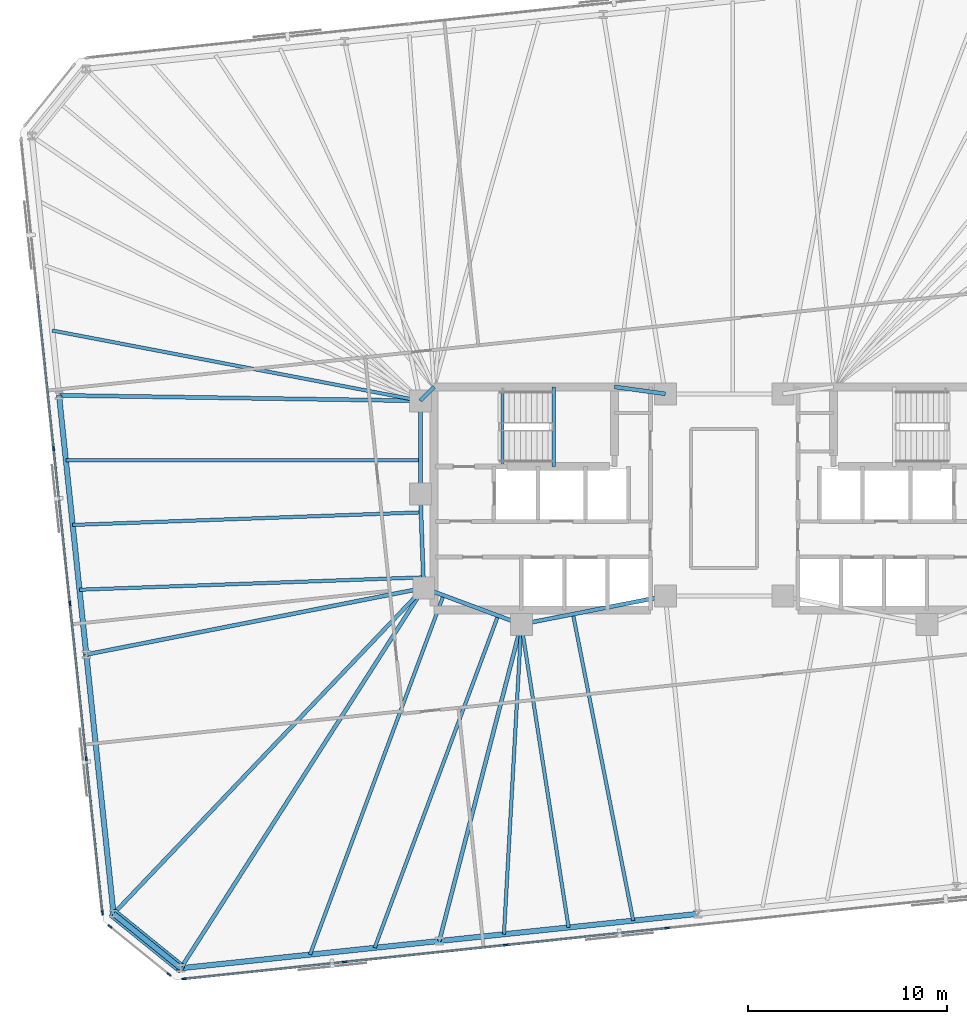
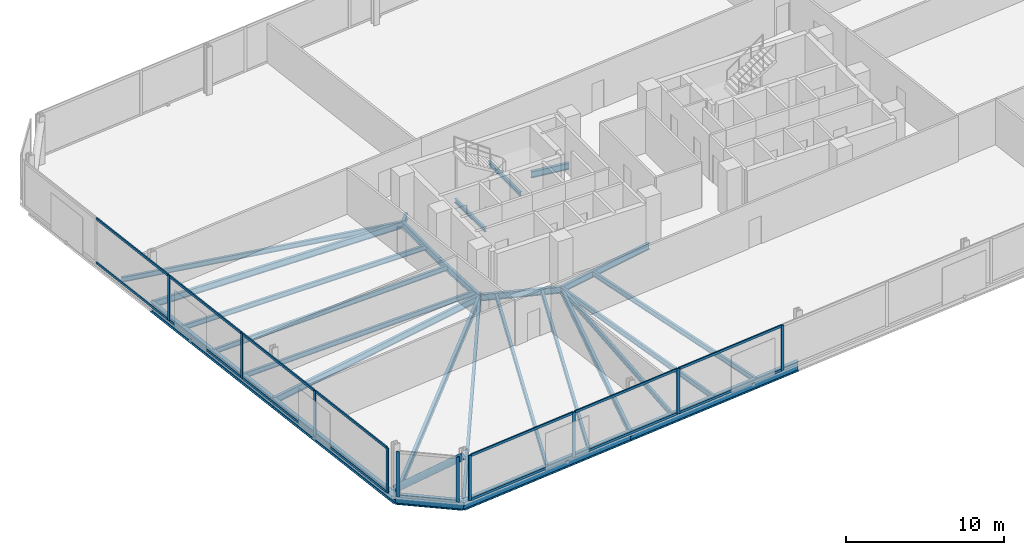
# One storey, part 6 of 18: 27 beams, 25 members, 3 elements without a shape of their own.
"""IFC4 building model written with IfcOpenShell, lengths in metres."""

from ifc_helpers import new_model, si_unit, direction, frame, origin, origin_2d, place, context, subcontext, project, spatial, rectangle, hollow_circle, i_section, extrude, material, material_profile, profile_set, type_object, element, aggregate, save


model = new_model("IFC4")

# Units and contexts
model_context = context("Model", 3, precision=1e-05, world=origin(), true_north=direction((0.0, 1.0)))
body_context = subcontext(model_context, "Body", "Model", "MODEL_VIEW")
ifc_project = project(units=[si_unit("LENGTHUNIT", "METRE"), si_unit("AREAUNIT", "SQUARE_METRE"), si_unit("VOLUMEUNIT", "CUBIC_METRE"), si_unit("PLANEANGLEUNIT", "RADIAN"), si_unit("MASSUNIT", "GRAM", prefix="KILO")], contexts=[model_context])

# Site, building, storey
site_placement = place(None, origin())
site = spatial("IfcSite", under=ifc_project, at=site_placement, CompositionType="ELEMENT")
building_placement = place(site_placement, origin())
building = spatial("IfcBuilding", under=site, at=building_placement, Name="Menara Jurai Vektor", CompositionType="ELEMENT")
storey_placement = place(building_placement, frame((0.0, 0.0, 91.10009765625)))
storey = spatial("IfcBuildingStorey", under=building, at=storey_placement, Name="L22", CompositionType="ELEMENT", Elevation=91.10009765625)

# Curtain wall, members
ifc_material_1 = material(Name="Anodised Pale Aluminium & Low-E Double Glazing", Category="aluminium")
curtain_wall_type = type_object("IfcCurtainWallType", Name="CW-BLK2", PredefinedType="NOTDEFINED", material=ifc_material_1)
curtain_wall_1_placement = place(storey_placement, origin())
curtain_wall_1 = element("IfcCurtainWall", 1, at=curtain_wall_1_placement, inside=storey, type_object=curtain_wall_type, Name="Unitised Curtain Wall L22 F01", PredefinedType="NOTDEFINED")
ifc_material_2 = material(Name="Anodised Pale Aluminium Mullion", Category="aluminium")
ifc_material_profile_1 = material_profile(ifc_material_2, rectangle(XDim=0.090087890625, YDim=0.219970703125, at=origin_2d()), Name="ALU MUL 90x220")
ifc_profile_set_1 = profile_set([ifc_material_profile_1], Name="Anodised Pale Aluminium Mullion")
member_type_1 = type_object("IfcMemberType", Name="CW-BLK2-MUL", PredefinedType="MULLION", material=ifc_profile_set_1)
member_1_placement = place(storey_placement, frame((-27.116455078125, -24.122314453125, 0.0), z_axis=(0.0, 0.0, 1.0), x_axis=(-0.104528634935, 0.994521877325, 0.0)))
member_1 = element("IfcMember", 2, at=member_1_placement, type_object=member_type_1, Name="CW-02 mullion 1", PredefinedType="MULLION", context=body_context, shape_type="SweptSolid", body=[
    extrude(rectangle(XDim=0.090087890625, YDim=0.219970703125, at=origin_2d()), origin(), (0.0, 0.0, 1.0), 3.474853515625),
])
member_2_placement = place(storey_placement, frame((-19.0634765625, -23.27587890625, 0.0), z_axis=(0.0, 0.0, 1.0), x_axis=(-0.104528634935, 0.994521877325, 0.0)))
member_2 = element("IfcMember", 3, at=member_2_placement, type_object=member_type_1, Name="CW-02 mullion 2", PredefinedType="MULLION", context=body_context, shape_type="SweptSolid", body=[
    extrude(rectangle(XDim=0.090087890625, YDim=0.219970703125, at=origin_2d()), origin(), (0.0, 0.0, 1.0), 3.474853515625),
])
member_3_placement = place(storey_placement, frame((-10.965576171875, -22.4248046875, 0.0), z_axis=(0.0, 0.0, 1.0), x_axis=(-0.104528634935, 0.994521877325, 0.0)))
member_3 = element("IfcMember", 4, at=member_3_placement, type_object=member_type_1, Name="CW-02 mullion 3", PredefinedType="MULLION", context=body_context, shape_type="SweptSolid", body=[
    extrude(rectangle(XDim=0.090087890625, YDim=0.219970703125, at=origin_2d()), origin(), (0.0, 0.0, 1.0), 3.474853515625),
])
member_4_placement = place(storey_placement, frame((-2.86767578125, -21.57373046875, 0.0), z_axis=(0.0, 0.0, 1.0), x_axis=(-0.104528634935, 0.994521877325, 0.0)))
member_4 = element("IfcMember", 5, at=member_4_placement, type_object=member_type_1, Name="CW-02 mullion 4", PredefinedType="MULLION", context=body_context, shape_type="SweptSolid", body=[
    extrude(rectangle(XDim=0.090087890625, YDim=0.219970703125, at=origin_2d()), origin(), (0.0, 0.0, 1.0), 3.474853515625),
])

curtain_wall_2_placement = place(storey_placement, origin())
curtain_wall_2 = element("IfcCurtainWall", 6, at=curtain_wall_2_placement, inside=storey, type_object=curtain_wall_type, Name="Unitised Curtain Wall L22 F07", PredefinedType="NOTDEFINED")
member_5_placement = place(storey_placement, frame((-33.66064453125, 2.50341796875, 0.0), z_axis=(0.0, 0.0, 1.0), x_axis=(0.99452177832, 0.104529576902, 0.0)))
member_5 = element("IfcMember", 7, at=member_5_placement, type_object=member_type_1, Name="CW-02 mullion 3", PredefinedType="MULLION", context=body_context, shape_type="SweptSolid", body=[
    extrude(rectangle(XDim=0.090087890625, YDim=0.219970703125, at=origin_2d()), origin(), (0.0, 0.0, 1.0), 3.474853515625),
])
member_6_placement = place(storey_placement, frame((-32.84228515625, -5.28173828125, 0.0), z_axis=(0.0, 0.0, 1.0), x_axis=(0.99452177832, 0.104529576902, 0.0)))
member_6 = element("IfcMember", 8, at=member_6_placement, type_object=member_type_1, Name="CW-02 mullion 4", PredefinedType="MULLION", context=body_context, shape_type="SweptSolid", body=[
    extrude(rectangle(XDim=0.090087890625, YDim=0.219970703125, at=origin_2d()), origin(), (0.0, 0.0, 1.0), 3.474853515625),
])
member_7_placement = place(storey_placement, frame((-32.024169921875, -13.06689453125, 0.0), z_axis=(0.0, 0.0, 1.0), x_axis=(0.99452177832, 0.104529576902, 0.0)))
member_7 = element("IfcMember", 9, at=member_7_placement, type_object=member_type_1, Name="CW-02 mullion 5", PredefinedType="MULLION", context=body_context, shape_type="SweptSolid", body=[
    extrude(rectangle(XDim=0.090087890625, YDim=0.219970703125, at=origin_2d()), origin(), (0.0, 0.0, 1.0), 3.474853515625),
])
member_8_placement = place(storey_placement, frame((-31.21044921875, -20.80712890625, 0.0), z_axis=(0.0, 0.0, 1.0), x_axis=(0.99452177832, 0.104529576902, 0.0)))
member_8 = element("IfcMember", 10, at=member_8_placement, type_object=member_type_1, Name="CW-02 mullion 6", PredefinedType="MULLION", context=body_context, shape_type="SweptSolid", body=[
    extrude(rectangle(XDim=0.090087890625, YDim=0.219970703125, at=origin_2d()), origin(), (0.0, 0.0, 1.0), 3.474853515625),
])

curtain_wall_3_placement = place(storey_placement, origin())
curtain_wall_3 = element("IfcCurtainWall", 11, at=curtain_wall_3_placement, inside=storey, type_object=curtain_wall_type, Name="Unitised Curtain Wall L22 F08", PredefinedType="NOTDEFINED")
member_9_placement = place(storey_placement, frame((-30.8359375, -21.497314453125, 0.0), z_axis=(0.0, 0.0, 1.0), x_axis=(0.629313085353, 0.777151877437, 0.0)))
member_9 = element("IfcMember", 12, at=member_9_placement, type_object=member_type_1, Name="CW-02 mullion 1", PredefinedType="MULLION", context=body_context, shape_type="SweptSolid", body=[
    extrude(rectangle(XDim=0.090087890625, YDim=0.219970703125, at=origin_2d()), origin(), (0.0, 0.0, 1.0), 3.474853515625),
])
member_10_placement = place(storey_placement, frame((-27.869384765625, -23.8994140625, 0.0), z_axis=(0.0, 0.0, 1.0), x_axis=(0.629313085353, 0.777151877437, 0.0)))
member_10 = element("IfcMember", 13, at=member_10_placement, type_object=member_type_1, Name="CW-02 mullion 2", PredefinedType="MULLION", context=body_context, shape_type="SweptSolid", body=[
    extrude(rectangle(XDim=0.090087890625, YDim=0.219970703125, at=origin_2d()), origin(), (0.0, 0.0, 1.0), 3.474853515625),
])
aggregate(curtain_wall_3, [member_9, member_10])

# Member
ifc_material_3 = material(Name="Anodised Pale Aluminium Transom", Category="aluminium")
ifc_material_profile_2 = material_profile(ifc_material_3, rectangle(XDim=0.090087890625, YDim=0.18505859375, at=origin_2d()), Name="ALU TRN 90x185")
ifc_profile_set_2 = profile_set([ifc_material_profile_2], Name="Anodised Pale Aluminium Transom")
member_type_2 = type_object("IfcMemberType", Name="CW-BLK2-TRN", PredefinedType="USERDEFINED", material=ifc_profile_set_2)
member_11_placement = place(storey_placement, frame((-27.07177734375, -24.11767578125, 0.044921875), z_axis=(0.994523147415, 0.10451655015, 0.0), x_axis=(-0.10451655015, 0.994523147415, 0.0)))
member_11 = element("IfcMember", 14, at=member_11_placement, type_object=member_type_2, Name="CW-02 transom 1.1", ObjectType="TRANSOM", PredefinedType="USERDEFINED", context=body_context, shape_type="SweptSolid", body=[
    extrude(rectangle(XDim=0.090087890625, YDim=0.18505859375, at=origin_2d()), origin(), (0.0, 0.0, 1.0), 8.007568359375),
])

member_12_placement = place(storey_placement, frame((-27.07177734375, -24.11767578125, 3.429931640625), z_axis=(0.994523147415, 0.10451655015, 0.0), x_axis=(-0.10451655015, 0.994523147415, 0.0)))
member_12 = element("IfcMember", 15, at=member_12_placement, type_object=member_type_2, Name="CW-02 transom 1.2", ObjectType="TRANSOM", PredefinedType="USERDEFINED", context=body_context, shape_type="SweptSolid", body=[
    extrude(rectangle(XDim=0.090087890625, YDim=0.18505859375, at=origin_2d()), origin(), (0.0, 0.0, 1.0), 8.007568359375),
])

member_13_placement = place(storey_placement, frame((-19.0185546875, -23.271240234375, 0.044921875), z_axis=(0.994520726373, 0.10453958492, 0.0), x_axis=(-0.10453958492, 0.994520726373, 0.0)))
member_13 = element("IfcMember", 16, at=member_13_placement, type_object=member_type_2, Name="CW-02 transom 2.1", ObjectType="TRANSOM", PredefinedType="USERDEFINED", context=body_context, shape_type="SweptSolid", body=[
    extrude(rectangle(XDim=0.090087890625, YDim=0.18505859375, at=origin_2d()), origin(), (0.0, 0.0, 1.0), 8.052490234375),
])

member_14_placement = place(storey_placement, frame((-19.0185546875, -23.271240234375, 3.429931640625), z_axis=(0.994520726373, 0.10453958492, 0.0), x_axis=(-0.10453958492, 0.994520726373, 0.0)))
member_14 = element("IfcMember", 17, at=member_14_placement, type_object=member_type_2, Name="CW-02 transom 2.2", ObjectType="TRANSOM", PredefinedType="USERDEFINED", context=body_context, shape_type="SweptSolid", body=[
    extrude(rectangle(XDim=0.090087890625, YDim=0.18505859375, at=origin_2d()), origin(), (0.0, 0.0, 1.0), 8.052490234375),
])

member_15_placement = place(storey_placement, frame((-10.920654296875, -22.420166015625, 0.044921875), z_axis=(0.994520726373, 0.10453958492, 0.0), x_axis=(-0.10453958492, 0.994520726373, 0.0)))
member_15 = element("IfcMember", 18, at=member_15_placement, type_object=member_type_2, Name="CW-02 transom 3.1", ObjectType="TRANSOM", PredefinedType="USERDEFINED", context=body_context, shape_type="SweptSolid", body=[
    extrude(rectangle(XDim=0.090087890625, YDim=0.18505859375, at=origin_2d()), origin(), (0.0, 0.0, 1.0), 8.052490234375),
])

member_16_placement = place(storey_placement, frame((-10.920654296875, -22.420166015625, 3.429931640625), z_axis=(0.994520726373, 0.10453958492, 0.0), x_axis=(-0.10453958492, 0.994520726373, 0.0)))
member_16 = element("IfcMember", 19, at=member_16_placement, type_object=member_type_2, Name="CW-02 transom 3.2", ObjectType="TRANSOM", PredefinedType="USERDEFINED", context=body_context, shape_type="SweptSolid", body=[
    extrude(rectangle(XDim=0.090087890625, YDim=0.18505859375, at=origin_2d()), origin(), (0.0, 0.0, 1.0), 8.052490234375),
])

aggregate(curtain_wall_1, [member_1, member_2, member_3, member_4, member_11, member_12, member_13, member_14, member_15, member_16])

member_17_placement = place(storey_placement, frame((-34.47412109375, 10.243896484375, 0.044921875), z_axis=(0.104525476786, -0.994522209256, 0.0), x_axis=(0.994522209256, 0.104525476786, 0.0)))
member_17 = element("IfcMember", 20, at=member_17_placement, type_object=member_type_2, Name="CW-02 transom 2.1", ObjectType="TRANSOM", PredefinedType="USERDEFINED", context=body_context, shape_type="SweptSolid", body=[
    extrude(rectangle(XDim=0.090087890625, YDim=0.18505859375, at=origin_2d()), origin(), (0.0, 0.0, 1.0), 7.73828125),
])

member_18_placement = place(storey_placement, frame((-34.47412109375, 10.243896484375, 3.429931640625), z_axis=(0.104525476786, -0.994522209256, 0.0), x_axis=(0.994522209256, 0.104525476786, 0.0)))
member_18 = element("IfcMember", 21, at=member_18_placement, type_object=member_type_2, Name="CW-02 transom 2.2", ObjectType="TRANSOM", PredefinedType="USERDEFINED", context=body_context, shape_type="SweptSolid", body=[
    extrude(rectangle(XDim=0.090087890625, YDim=0.18505859375, at=origin_2d()), origin(), (0.0, 0.0, 1.0), 7.73828125),
])

member_19_placement = place(storey_placement, frame((-33.65576171875, 2.458740234375, 0.044921875), z_axis=(0.104525476786, -0.994522209256, 0.0), x_axis=(0.994522209256, 0.104525476786, 0.0)))
member_19 = element("IfcMember", 22, at=member_19_placement, type_object=member_type_2, Name="CW-02 transom 3.1", ObjectType="TRANSOM", PredefinedType="USERDEFINED", context=body_context, shape_type="SweptSolid", body=[
    extrude(rectangle(XDim=0.090087890625, YDim=0.18505859375, at=origin_2d()), origin(), (0.0, 0.0, 1.0), 7.73828125),
])

member_20_placement = place(storey_placement, frame((-33.65576171875, 2.458740234375, 3.429931640625), z_axis=(0.104525476786, -0.994522209256, 0.0), x_axis=(0.994522209256, 0.104525476786, 0.0)))
member_20 = element("IfcMember", 23, at=member_20_placement, type_object=member_type_2, Name="CW-02 transom 3.2", ObjectType="TRANSOM", PredefinedType="USERDEFINED", context=body_context, shape_type="SweptSolid", body=[
    extrude(rectangle(XDim=0.090087890625, YDim=0.18505859375, at=origin_2d()), origin(), (0.0, 0.0, 1.0), 7.73828125),
])

member_21_placement = place(storey_placement, frame((-32.837646484375, -5.326416015625, 0.044921875), z_axis=(0.104525476786, -0.994522209256, 0.0), x_axis=(0.994522209256, 0.104525476786, 0.0)))
member_21 = element("IfcMember", 24, at=member_21_placement, type_object=member_type_2, Name="CW-02 transom 4.1", ObjectType="TRANSOM", PredefinedType="USERDEFINED", context=body_context, shape_type="SweptSolid", body=[
    extrude(rectangle(XDim=0.090087890625, YDim=0.18505859375, at=origin_2d()), origin(), (0.0, 0.0, 1.0), 7.73828125),
])

member_22_placement = place(storey_placement, frame((-32.837646484375, -5.326416015625, 3.429931640625), z_axis=(0.104525476786, -0.994522209256, 0.0), x_axis=(0.994522209256, 0.104525476786, 0.0)))
member_22 = element("IfcMember", 25, at=member_22_placement, type_object=member_type_2, Name="CW-02 transom 4.2", ObjectType="TRANSOM", PredefinedType="USERDEFINED", context=body_context, shape_type="SweptSolid", body=[
    extrude(rectangle(XDim=0.090087890625, YDim=0.18505859375, at=origin_2d()), origin(), (0.0, 0.0, 1.0), 7.73828125),
])

member_23_placement = place(storey_placement, frame((-32.019287109375, -13.111572265625, 0.044921875), z_axis=(0.104536105602, -0.994521092097, 0.0), x_axis=(0.994521092097, 0.104536105602, 0.0)))
member_23 = element("IfcMember", 26, at=member_23_placement, type_object=member_type_2, Name="CW-02 transom 5.1", ObjectType="TRANSOM", PredefinedType="USERDEFINED", context=body_context, shape_type="SweptSolid", body=[
    extrude(rectangle(XDim=0.090087890625, YDim=0.18505859375, at=origin_2d()), origin(), (0.0, 0.0, 1.0), 7.693115234375),
])

member_24_placement = place(storey_placement, frame((-32.019287109375, -13.111572265625, 3.429931640625), z_axis=(0.104536105602, -0.994521092097, 0.0), x_axis=(0.994521092097, 0.104536105602, 0.0)))
member_24 = element("IfcMember", 27, at=member_24_placement, type_object=member_type_2, Name="CW-02 transom 5.2", ObjectType="TRANSOM", PredefinedType="USERDEFINED", context=body_context, shape_type="SweptSolid", body=[
    extrude(rectangle(XDim=0.090087890625, YDim=0.18505859375, at=origin_2d()), origin(), (0.0, 0.0, 1.0), 7.693115234375),
])

aggregate(curtain_wall_2, [member_5, member_6, member_7, member_8, member_17, member_18, member_19, member_20, member_21, member_22, member_23, member_24])

# Beams
ifc_material_4 = material(Name="Steel S355", Category="steel")
ifc_material_profile_3 = material_profile(ifc_material_4, i_section(OverallWidth=0.199951171875, OverallDepth=0.5, WebThickness=0.011962890625, FlangeThickness=0.02001953125, at=origin_2d()), Name="PG 500x200x96")
ifc_profile_set_3 = profile_set([ifc_material_profile_3], Name="Steel S355")
beam_type_1 = type_object("IfcBeamType", Name="STR-BM-500", PredefinedType="BEAM", material=ifc_profile_set_3)
beam_1_placement = place(storey_placement, frame((-15.25, 4.89990234375, -0.47509765625), z_axis=(0.701871936926, 0.712303154672, 0.0), x_axis=(-0.712303154672, 0.701871936926, 0.0)))
element("IfcBeam", 28, at=beam_1_placement, inside=storey, type_object=beam_type_1, Name="Core Ring Header Girder L22-CHW-N1", PredefinedType="BEAM", context=body_context, shape_type="SweptSolid", body=[
    extrude(i_section(OverallWidth=0.199951171875, OverallDepth=0.5, WebThickness=0.011962890625, FlangeThickness=0.02001953125, at=origin_2d()), origin(), (0.0, 0.0, 1.0), 0.98291015625),
])
beam_2_placement = place(storey_placement, frame((-5.5, 5.60009765625, -0.47509765625), z_axis=(0.990706818608, -0.136014703483, 0.0), x_axis=(0.136014703483, 0.990706818608, 0.0)))
element("IfcBeam", 29, at=beam_2_placement, inside=storey, type_object=beam_type_1, Name="Core Ring Header Girder L22-CHW-N2", PredefinedType="BEAM", context=body_context, shape_type="SweptSolid", body=[
    extrude(i_section(OverallWidth=0.199951171875, OverallDepth=0.5, WebThickness=0.011962890625, FlangeThickness=0.02001953125, at=origin_2d()), origin(), (0.0, 0.0, 1.0), 2.573974609375),
])
beam_3_placement = place(storey_placement, frame((-15.25, 0.219970703125, -0.47509765625), z_axis=(0.0, 1.0, 0.0), x_axis=(-1.0, 0.0, 0.0)))
element("IfcBeam", 30, at=beam_3_placement, inside=storey, type_object=beam_type_1, Name="Core Ring Header Girder L22-CHW-W1", PredefinedType="BEAM", context=body_context, shape_type="SweptSolid", body=[
    extrude(i_section(OverallWidth=0.199951171875, OverallDepth=0.5, WebThickness=0.011962890625, FlangeThickness=0.02001953125, at=origin_2d()), origin(), (0.0, 0.0, 1.0), 4.679931640625),
])
beam_4_placement = place(storey_placement, frame((-15.080078125, -4.5, -0.47509765625), z_axis=(-0.035977314146, 0.999352606874, 0.0), x_axis=(-0.999352606874, -0.035977314146, 0.0)))
element("IfcBeam", 31, at=beam_4_placement, inside=storey, type_object=beam_type_1, Name="Core Ring Header Girder L22-CHW-W2", PredefinedType="BEAM", context=body_context, shape_type="SweptSolid", body=[
    extrude(i_section(OverallWidth=0.199951171875, OverallDepth=0.5, WebThickness=0.011962890625, FlangeThickness=0.02001953125, at=origin_2d()), origin(), (0.0, 0.0, 1.0), 4.72314453125),
])
beam_5_placement = place(storey_placement, frame((-15.080078125, -4.5, -0.47509765625), z_axis=(0.937424400887, -0.348188874925, 0.0), x_axis=(0.348188874925, 0.937424400887, 0.0)))
element("IfcBeam", 32, at=beam_5_placement, inside=storey, type_object=beam_type_1, Name="Core Ring Header Girder L22-CHW-S1", PredefinedType="BEAM", context=body_context, shape_type="SweptSolid", body=[
    extrude(i_section(OverallWidth=0.199951171875, OverallDepth=0.5, WebThickness=0.011962890625, FlangeThickness=0.02001953125, at=origin_2d()), origin(), (0.0, 0.0, 1.0), 5.227294921875),
])
beam_6_placement = place(storey_placement, frame((-10.179931640625, -6.320068359375, -0.47509765625), z_axis=(0.981249044334, 0.192744164614, 0.0), x_axis=(-0.192744164614, 0.981249044334, 0.0)))
element("IfcBeam", 33, at=beam_6_placement, inside=storey, type_object=beam_type_1, Name="Core Ring Header Girder L22-CHW-S2", PredefinedType="BEAM", context=body_context, shape_type="SweptSolid", body=[
    extrude(i_section(OverallWidth=0.199951171875, OverallDepth=0.5, WebThickness=0.011962890625, FlangeThickness=0.02001953125, at=origin_2d()), origin(), (0.0, 0.0, 1.0), 7.3681640625),
])
beam_7_placement = place(storey_placement, frame((-27.2763671875, -23.586181640625, -0.47509765625), z_axis=(0.538462629542, 0.842649391258, 0.0), x_axis=(-0.842649391258, 0.538462629542, 0.0)))
element("IfcBeam", 34, at=beam_7_placement, inside=storey, type_object=beam_type_1, Name="Radial Floor Girder L22-S1", PredefinedType="BEAM", context=body_context, shape_type="SweptSolid", body=[
    extrude(i_section(OverallWidth=0.199951171875, OverallDepth=0.5, WebThickness=0.011962890625, FlangeThickness=0.02001953125, at=origin_2d()), origin(), (0.0, 0.0, 1.0), 22.650146484375),
])
beam_8_placement = place(storey_placement, frame((-14.296630859375, -22.221923828125, -0.47509765625), z_axis=(0.250619644892, 0.968085633399, 0.0), x_axis=(-0.968085633399, 0.250619644892, 0.0)))
element("IfcBeam", 35, at=beam_8_placement, inside=storey, type_object=beam_type_1, Name="Radial Floor Girder L22-S2", PredefinedType="BEAM", context=body_context, shape_type="SweptSolid", body=[
    extrude(i_section(OverallWidth=0.199951171875, OverallDepth=0.5, WebThickness=0.011962890625, FlangeThickness=0.02001953125, at=origin_2d()), origin(), (0.0, 0.0, 1.0), 16.426025390625),
])
beam_9_placement = place(storey_placement, frame((-33.38818359375, 5.175048828125, -0.47509765625), z_axis=(0.999884963566, -0.015167716827, 0.0), x_axis=(0.015167716827, 0.999884963566, 0.0)))
element("IfcBeam", 36, at=beam_9_placement, inside=storey, type_object=beam_type_1, Name="Radial Floor Girder L22-W2", PredefinedType="BEAM", context=body_context, shape_type="SweptSolid", body=[
    extrude(i_section(OverallWidth=0.199951171875, OverallDepth=0.5, WebThickness=0.011962890625, FlangeThickness=0.02001953125, at=origin_2d()), origin(), (0.0, 0.0, 1.0), 18.140380859375),
])
beam_10_placement = place(storey_placement, frame((-32.0205078125, -7.83837890625, -0.47509765625), z_axis=(0.98113039493, 0.193347221714, 0.0), x_axis=(-0.193347221714, 0.98113039493, 0.0)))
element("IfcBeam", 37, at=beam_10_placement, inside=storey, type_object=beam_type_1, Name="Radial Floor Girder L22-W3", PredefinedType="BEAM", context=body_context, shape_type="SweptSolid", body=[
    extrude(i_section(OverallWidth=0.199951171875, OverallDepth=0.5, WebThickness=0.011962890625, FlangeThickness=0.02001953125, at=origin_2d()), origin(), (0.0, 0.0, 1.0), 17.266357421875),
])
beam_11_placement = place(storey_placement, frame((-30.65283203125, -20.85205078125, -0.47509765625), z_axis=(0.689640593718, 0.724151815227, 0.0), x_axis=(-0.724151815227, 0.689640593718, 0.0)))
element("IfcBeam", 38, at=beam_11_placement, inside=storey, type_object=beam_type_1, Name="Radial Floor Girder L22-W4", PredefinedType="BEAM", context=body_context, shape_type="SweptSolid", body=[
    extrude(i_section(OverallWidth=0.199951171875, OverallDepth=0.5, WebThickness=0.011962890625, FlangeThickness=0.02001953125, at=origin_2d()), origin(), (0.0, 0.0, 1.0), 22.5810546875),
])

# Member
ifc_material_5 = material(Name="Steel S460", Category="steel")
ifc_material_profile_4 = material_profile(ifc_material_5, hollow_circle(Radius=0.25390625, WallThickness=0.02001953125, at=origin_2d()), Name="CHS 508x20")
ifc_profile_set_4 = profile_set([ifc_material_profile_4], Name="Steel S460")
member_type_3 = type_object("IfcMemberType", Name="STR-BR-508", PredefinedType="BRACE", material=ifc_profile_set_4)
member_25_placement = place(storey_placement, frame((-30.65283203125, -20.85205078125, 0.14990234375), z_axis=(0.641223283484, -0.519237856236, 0.564999778203), x_axis=(0.629309762217, 0.777154568396, 0.0)))
element("IfcMember", 39, at=member_25_placement, inside=storey, type_object=member_type_3, Name="Exoskeleton Corner Brace L22-4", PredefinedType="BRACE", context=body_context, shape_type="SweptSolid", body=[
    extrude(hollow_circle(Radius=0.25390625, WallThickness=0.02001953125, at=origin_2d()), origin(), (0.0, 0.0, 1.0), 5.265625),
])

# Beams
ifc_material_profile_5 = material_profile(ifc_material_4, i_section(OverallWidth=0.175048828125, OverallDepth=0.3798828125, WebThickness=0.010009765625, FlangeThickness=0.014892578125, at=origin_2d()), Name="PG 380x175x58")
ifc_profile_set_5 = profile_set([ifc_material_profile_5], Name="Steel S355")
beam_type_2 = type_object("IfcBeamType", Name="STR-JS-380", PredefinedType="JOIST", material=ifc_profile_set_5)
beam_12_placement = place(storey_placement, frame((-20.78662109375, -22.904052734375, -0.4150390625), z_axis=(0.34819162731, 0.93742337856, 0.0), x_axis=(-0.93742337856, 0.34819162731, 0.0)))
element("IfcBeam", 40, at=beam_12_placement, inside=storey, type_object=beam_type_2, Name="Radial Secondary Floor Joist L22-JS01", PredefinedType="JOIST", context=body_context, shape_type="SweptSolid", body=[
    extrude(i_section(OverallWidth=0.175048828125, OverallDepth=0.3798828125, WebThickness=0.010009765625, FlangeThickness=0.014892578125, at=origin_2d()), origin(), (0.0, 0.0, 1.0), 19.2392578125),
])
beam_13_placement = place(storey_placement, frame((-17.54150390625, -22.56298828125, -0.4150390625), z_axis=(0.348184462185, 0.937426039906, 0.0), x_axis=(-0.937426039906, 0.348184462185, 0.0)))
element("IfcBeam", 41, at=beam_13_placement, inside=storey, type_object=beam_type_2, Name="Radial Secondary Floor Joist L22-JS02", PredefinedType="JOIST", context=body_context, shape_type="SweptSolid", body=[
    extrude(i_section(OverallWidth=0.175048828125, OverallDepth=0.3798828125, WebThickness=0.010009765625, FlangeThickness=0.014892578125, at=origin_2d()), origin(), (0.0, 0.0, 1.0), 17.789794921875),
])
beam_14_placement = place(storey_placement, frame((-11.0517578125, -21.880859375, -0.4150390625), z_axis=(0.055939382302, 0.998434166837, 0.0), x_axis=(-0.998434166837, 0.055939382302, 0.0)))
element("IfcBeam", 42, at=beam_14_placement, inside=storey, type_object=beam_type_2, Name="Radial Secondary Floor Joist L22-JS03", PredefinedType="JOIST", context=body_context, shape_type="SweptSolid", body=[
    extrude(i_section(OverallWidth=0.175048828125, OverallDepth=0.3798828125, WebThickness=0.010009765625, FlangeThickness=0.014892578125, at=origin_2d()), origin(), (0.0, 0.0, 1.0), 15.585205078125),
])
beam_15_placement = place(storey_placement, frame((-7.806884765625, -21.539794921875, -0.4150390625), z_axis=(-0.154057765645, 0.988061842622, 0.0), x_axis=(-0.988061842622, -0.154057765645, 0.0)))
element("IfcBeam", 43, at=beam_15_placement, inside=storey, type_object=beam_type_2, Name="Radial Secondary Floor Joist L22-JS04", PredefinedType="JOIST", context=body_context, shape_type="SweptSolid", body=[
    extrude(i_section(OverallWidth=0.175048828125, OverallDepth=0.3798828125, WebThickness=0.010009765625, FlangeThickness=0.014892578125, at=origin_2d()), origin(), (0.0, 0.0, 1.0), 15.403564453125),
])
beam_16_placement = place(storey_placement, frame((-4.56201171875, -21.19873046875, -0.4150390625), z_axis=(-0.19271398667, 0.981254971627, 0.0), x_axis=(-0.981254971627, -0.19271398667, 0.0)))
element("IfcBeam", 44, at=beam_16_placement, inside=storey, type_object=beam_type_2, Name="Radial Secondary Floor Joist L22-JS05", PredefinedType="JOIST", context=body_context, shape_type="SweptSolid", body=[
    extrude(i_section(OverallWidth=0.175048828125, OverallDepth=0.3798828125, WebThickness=0.010009765625, FlangeThickness=0.014892578125, at=origin_2d()), origin(), (0.0, 0.0, 1.0), 15.682373046875),
])
beam_17_placement = place(storey_placement, frame((-33.730224609375, 8.428466796875, -0.4150390625), z_axis=(0.982255215221, -0.187549172674, 0.0), x_axis=(0.187549172674, 0.982255215221, 0.0)))
element("IfcBeam", 45, at=beam_17_placement, inside=storey, type_object=beam_type_2, Name="Radial Secondary Floor Joist L22-JS38", PredefinedType="JOIST", context=body_context, shape_type="SweptSolid", body=[
    extrude(i_section(OverallWidth=0.175048828125, OverallDepth=0.3798828125, WebThickness=0.010009765625, FlangeThickness=0.014892578125, at=origin_2d()), origin(), (0.0, 0.0, 1.0), 18.81396484375),
])
beam_18_placement = place(storey_placement, frame((-33.04638671875, 1.921630859375, -0.4150390625), z_axis=(1.0, 0.0, 0.0), x_axis=(0.0, 1.0, 0.0)))
element("IfcBeam", 46, at=beam_18_placement, inside=storey, type_object=beam_type_2, Name="Radial Secondary Floor Joist L22-JS39", PredefinedType="JOIST", context=body_context, shape_type="SweptSolid", body=[
    extrude(i_section(OverallWidth=0.175048828125, OverallDepth=0.3798828125, WebThickness=0.010009765625, FlangeThickness=0.014892578125, at=origin_2d()), origin(), (0.0, 0.0, 1.0), 17.79638671875),
])
beam_19_placement = place(storey_placement, frame((-32.704345703125, -1.331787109375, -0.4150390625), z_axis=(0.999351948809, 0.035995588769, 0.0), x_axis=(-0.035995588769, 0.999351948809, 0.0)))
element("IfcBeam", 47, at=beam_19_placement, inside=storey, type_object=beam_type_2, Name="Radial Secondary Floor Joist L22-JS40", PredefinedType="JOIST", context=body_context, shape_type="SweptSolid", body=[
    extrude(i_section(OverallWidth=0.175048828125, OverallDepth=0.3798828125, WebThickness=0.010009765625, FlangeThickness=0.014892578125, at=origin_2d()), origin(), (0.0, 0.0, 1.0), 17.498779296875),
])
beam_20_placement = place(storey_placement, frame((-32.362548828125, -4.5849609375, -0.4150390625), z_axis=(0.999352405578, 0.03598290517, 0.0), x_axis=(-0.03598290517, 0.999352405578, 0.0)))
element("IfcBeam", 48, at=beam_20_placement, inside=storey, type_object=beam_type_2, Name="Radial Secondary Floor Joist L22-JS41", PredefinedType="JOIST", context=body_context, shape_type="SweptSolid", body=[
    extrude(i_section(OverallWidth=0.175048828125, OverallDepth=0.3798828125, WebThickness=0.010009765625, FlangeThickness=0.014892578125, at=origin_2d()), origin(), (0.0, 0.0, 1.0), 17.2744140625),
])
ifc_material_profile_6 = material_profile(ifc_material_4, i_section(OverallWidth=0.1650390625, OverallDepth=0.302978515625, WebThickness=0.006103515625, FlangeThickness=0.010009765625, FilletRadius=0.009033203125, at=origin_2d()), Name="UKB 305x165x40")
ifc_profile_set_6 = profile_set([ifc_material_profile_6], Name="Steel S355")
beam_type_3 = type_object("IfcBeamType", Name="STR-LN-305", PredefinedType="LINTEL", material=ifc_profile_set_6)
beam_21_placement = place(storey_placement, frame((-11.1201171875, 1.60009765625, -0.376708984375), z_axis=(0.0, 1.0, 0.0), x_axis=(-1.0, 0.0, 0.0)))
element("IfcBeam", 49, at=beam_21_placement, inside=storey, type_object=beam_type_3, Name="Stair Well Floor Trimmer ST1 L22", PredefinedType="LINTEL", context=body_context, shape_type="SweptSolid", body=[
    extrude(i_section(OverallWidth=0.1650390625, OverallDepth=0.302978515625, WebThickness=0.006103515625, FlangeThickness=0.010009765625, FilletRadius=0.009033203125, at=origin_2d()), origin(), (0.0, 0.0, 1.0), 3.81982421875),
])
beam_22_placement = place(storey_placement, frame((-8.550048828125, 1.60009765625, 1.498291015625), z_axis=(0.0, 1.0, 0.0), x_axis=(-1.0, 0.0, 0.0)))
element("IfcBeam", 50, at=beam_22_placement, inside=storey, type_object=beam_type_3, Name="Stair Half-Landing Nosing Trimmer ST1-1 L22", PredefinedType="LINTEL", context=body_context, shape_type="SweptSolid", body=[
    extrude(i_section(OverallWidth=0.1650390625, OverallDepth=0.302978515625, WebThickness=0.006103515625, FlangeThickness=0.010009765625, FilletRadius=0.009033203125, at=origin_2d()), origin(), (0.0, 0.0, 1.0), 4.0),
])
ifc_material_profile_7 = material_profile(ifc_material_5, i_section(OverallWidth=0.26806640625, OverallDepth=0.77001953125, WebThickness=0.01611328125, FlangeThickness=0.02490234375, FilletRadius=0.01708984375, at=origin_2d()), Name="UKB 762x267x197")
ifc_profile_set_7 = profile_set([ifc_material_profile_7], Name="Steel S460")
beam_type_4 = type_object("IfcBeamType", Name="STR-SP-762", PredefinedType="SPANDREL", material=ifc_profile_set_7)
for number, where, z_axis, x_axis, name in (
    (51, (-27.2763671875, -23.586181640625, -0.610107421875), (0.994521636083, 0.104530930169, 0.0), (-0.104530930169, 0.994521636083, 0.0), "Exoskeleton Spandrel Beam L22-01"),
    (52, (-14.296630859375, -22.221923828125, -0.610107421875), (0.994523580592, 0.104512428191, 0.0), (-0.104512428191, 0.994523580592, 0.0), "Exoskeleton Spandrel Beam L22-02"),
):
    element("IfcBeam", number, at=place(storey_placement, frame(where, z_axis=z_axis, x_axis=x_axis)), inside=storey, type_object=beam_type_4, Name=name, PredefinedType="SPANDREL", context=body_context, shape_type="SweptSolid", body=[
        extrude(i_section(OverallWidth=0.26806640625, OverallDepth=0.77001953125, WebThickness=0.01611328125, FlangeThickness=0.02490234375, FilletRadius=0.01708984375, at=origin_2d()), origin(), (0.0, 0.0, 1.0), 13.05126953125),
    ])
beam_23_placement = place(storey_placement, frame((-33.38818359375, 5.175048828125, -0.610107421875), z_axis=(0.104521615846, -0.994522615037, 0.0), x_axis=(0.994522615037, 0.104521615846, 0.0)))
element("IfcBeam", 53, at=beam_23_placement, inside=storey, type_object=beam_type_4, Name="Exoskeleton Spandrel Beam L22-18", PredefinedType="SPANDREL", context=body_context, shape_type="SweptSolid", body=[
    extrude(i_section(OverallWidth=0.26806640625, OverallDepth=0.77001953125, WebThickness=0.01611328125, FlangeThickness=0.02490234375, FilletRadius=0.01708984375, at=origin_2d()), origin(), (0.0, 0.0, 1.0), 13.085205078125),
])
beam_24_placement = place(storey_placement, frame((-32.0205078125, -7.83837890625, -0.610107421875), z_axis=(0.104519676409, -0.994522818865, 0.0), x_axis=(0.994522818865, 0.104519676409, 0.0)))
element("IfcBeam", 54, at=beam_24_placement, inside=storey, type_object=beam_type_4, Name="Exoskeleton Spandrel Beam L22-19", PredefinedType="SPANDREL", context=body_context, shape_type="SweptSolid", body=[
    extrude(i_section(OverallWidth=0.26806640625, OverallDepth=0.77001953125, WebThickness=0.01611328125, FlangeThickness=0.02490234375, FilletRadius=0.01708984375, at=origin_2d()), origin(), (0.0, 0.0, 1.0), 13.08544921875),
])
beam_25_placement = place(storey_placement, frame((-30.65283203125, -20.85205078125, -0.610107421875), z_axis=(0.777154568396, -0.629309762217, 0.0), x_axis=(0.629309762217, 0.777154568396, 0.0)))
element("IfcBeam", 55, at=beam_25_placement, inside=storey, type_object=beam_type_4, Name="Exoskeleton Spandrel Beam L22-20", PredefinedType="SPANDREL", context=body_context, shape_type="SweptSolid", body=[
    extrude(i_section(OverallWidth=0.26806640625, OverallDepth=0.77001953125, WebThickness=0.01611328125, FlangeThickness=0.02490234375, FilletRadius=0.01708984375, at=origin_2d()), origin(), (0.0, 0.0, 1.0), 4.3447265625),
])

save(model, "model.ifc")
